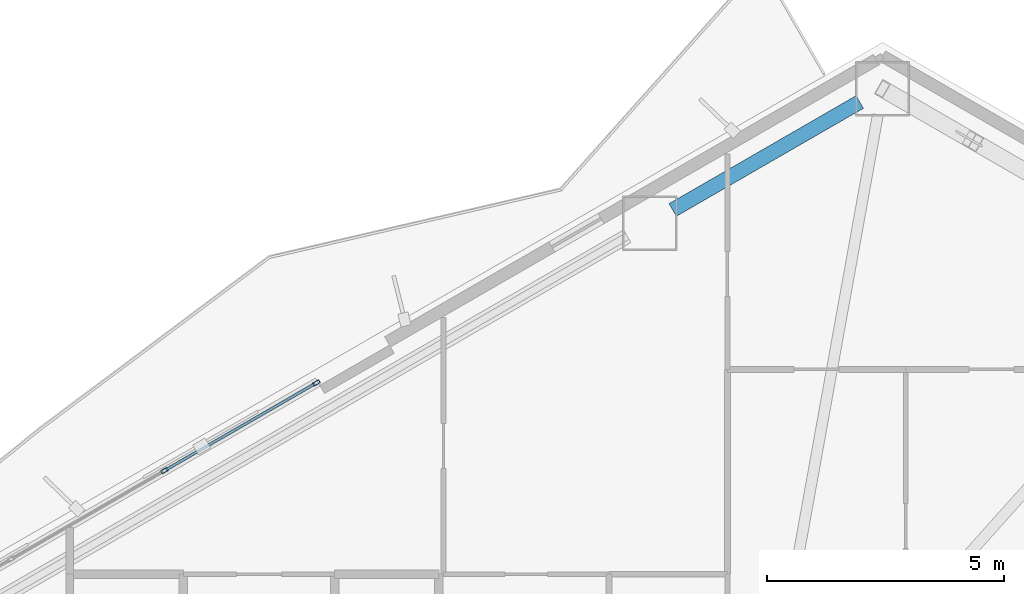
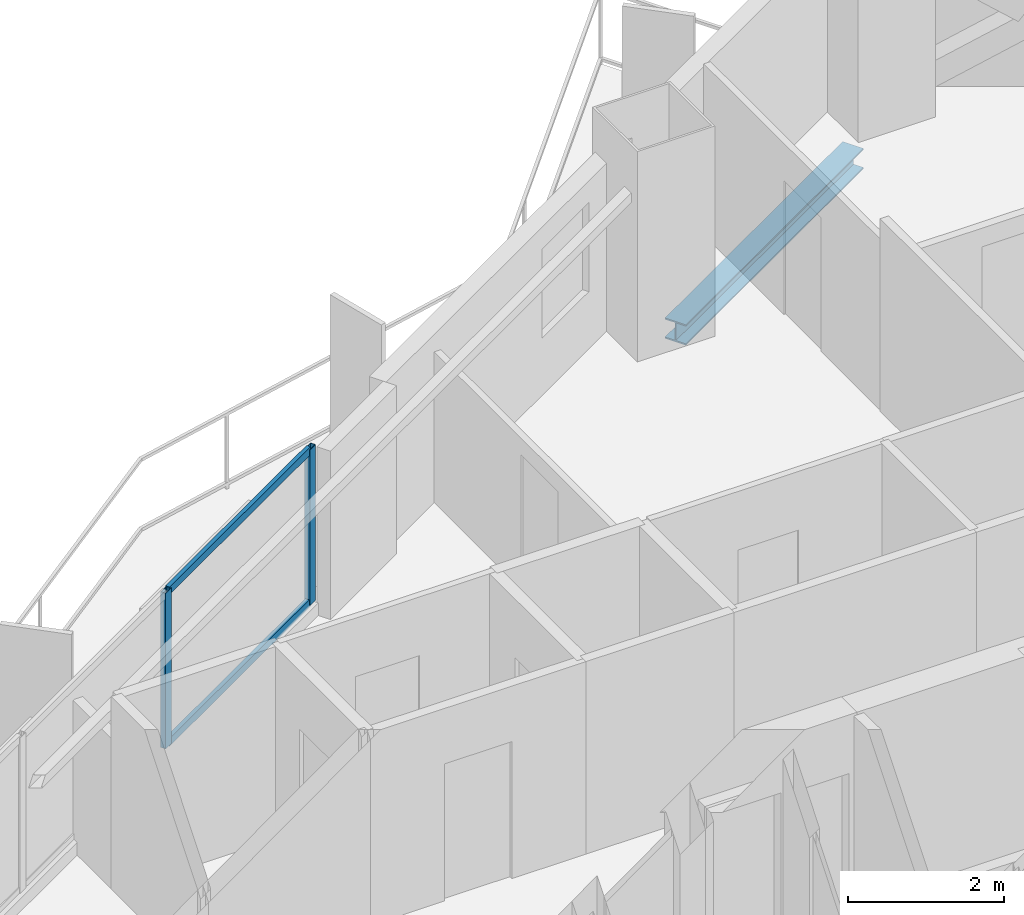
# One storey, part 13 of 22: 4 members, 1 beam, 1 element without a shape of its own.
"""IFC4 building model written with IfcOpenShell, lengths in metres."""

from ifc_helpers import new_model, si_unit, direction, frame, origin, origin_2d, place, context, subcontext, project, spatial, hollow_rectangle, i_section, extrude, material, layer, layer_set, material_profile, profile_set, type_object, element, aggregate, save


model = new_model("IFC4")

# Units and contexts
model_context = context("Model", 3, precision=1e-05, world=origin(), true_north=direction((0.0, 1.0)))
body_context = subcontext(model_context, "Body", "Model", "MODEL_VIEW")
ifc_project = project(units=[si_unit("LENGTHUNIT", "METRE"), si_unit("AREAUNIT", "SQUARE_METRE"), si_unit("VOLUMEUNIT", "CUBIC_METRE"), si_unit("PLANEANGLEUNIT", "RADIAN"), si_unit("MASSUNIT", "GRAM", prefix="KILO")], contexts=[model_context])

# Site, building, storey
site_placement = place(None, origin())
site = spatial("IfcSite", under=ifc_project, at=site_placement, CompositionType="ELEMENT")
building_placement = place(site_placement, origin())
building = spatial("IfcBuilding", under=site, at=building_placement, Name="Mersakhor Tower and Convention Hall", CompositionType="ELEMENT")
storey_placement = place(building_placement, frame((0.0, 0.0, 113.10009765625)))
storey = spatial("IfcBuildingStorey", under=building, at=storey_placement, Name="L31", CompositionType="ELEMENT", Elevation=113.10009765625)

# Beam
ifc_material_1 = material(Name="Steel S355", Category="steel")
ifc_material_profile_1 = material_profile(ifc_material_1, i_section(OverallWidth=0.30908203125, OverallDepth=0.320556640625, WebThickness=0.013916015625, FlangeThickness=0.021728515625, at=origin_2d()), Name="UC 305x305x137")
ifc_profile_set_1 = profile_set([ifc_material_profile_1], Name="Steel S355")
beam_type = type_object("IfcBeamType", Name="BM-SPD-UC305", PredefinedType="SPANDREL", material=ifc_profile_set_1)
beam_placement = place(storey_placement, frame((34.343505859375, 45.34814453125, -0.410400390625), z_axis=(0.866046694585, 0.499963121439, 0.0), x_axis=(-0.499963121439, 0.866046694585, 0.0)))
element("IfcBeam", 1, at=beam_placement, inside=storey, type_object=beam_type, Name="L31 Perimeter Spandrel Beam SPB-03", PredefinedType="SPANDREL", context=body_context, shape_type="SweptSolid", body=[
    extrude(i_section(OverallWidth=0.30908203125, OverallDepth=0.320556640625, WebThickness=0.013916015625, FlangeThickness=0.021728515625, at=origin_2d()), origin(), (0.0, 0.0, 1.0), 4.566162109375),
])

# Curtain wall, members
ifc_material_2 = material(Name="Dark solar low-E aluminium curtain wall", Category="aluminium")
ifc_layer = layer(ifc_material_2, 0.159912109375)
ifc_layer_set = layer_set([ifc_layer], Name="Dark solar low-E aluminium curtain wall")
curtain_wall_type = type_object("IfcCurtainWallType", Name="CW-SYS-01", PredefinedType="USERDEFINED", material=ifc_layer_set)
curtain_wall_placement = place(storey_placement, origin())
curtain_wall = element("IfcCurtainWall", 2, at=curtain_wall_placement, inside=storey, type_object=curtain_wall_type, Name="L31 Dark-Glass Curtain Wall F1-B2", ObjectType="CURTAIN WALL", PredefinedType="USERDEFINED")
ifc_material_3 = material(Name="Anodised aluminium EN AW-6063 T6", Category="aluminium")
ifc_material_profile_2 = material_profile(ifc_material_3, hollow_rectangle(XDim=0.074951171875, YDim=0.14990234375, WallThickness=0.00634765625, at=origin_2d()), Name="RHS 150x75x6.3")
ifc_profile_set_2 = profile_set([ifc_material_profile_2], Name="Anodised aluminium EN AW-6063 T6")
member_type_1 = type_object("IfcMemberType", Name="CWM-150x75", PredefinedType="MULLION", material=ifc_profile_set_2)
member_1_placement = place(storey_placement, frame((23.603515625, 39.840087890625, 0.199951171875), z_axis=(0.0, 0.0, 1.0), x_axis=(-0.499997904985, 0.866026613339, 0.0)))
member_1 = element("IfcMember", 3, at=member_1_placement, type_object=member_type_1, Name="CW-01 mullion 3", PredefinedType="MULLION", context=body_context, shape_type="SweptSolid", body=[
    extrude(hollow_rectangle(XDim=0.074951171875, YDim=0.14990234375, WallThickness=0.00634765625, at=origin_2d()), origin(), (0.0, 0.0, 1.0), 2.43994140625),
])
member_2_placement = place(storey_placement, frame((26.812744140625, 41.69287109375, 0.199951171875), z_axis=(0.0, 0.0, 1.0), x_axis=(-0.499997904985, 0.866026613339, 0.0)))
member_2 = element("IfcMember", 4, at=member_2_placement, type_object=member_type_1, Name="CW-01 mullion 4", PredefinedType="MULLION", context=body_context, shape_type="SweptSolid", body=[
    extrude(hollow_rectangle(XDim=0.074951171875, YDim=0.14990234375, WallThickness=0.00634765625, at=origin_2d()), origin(), (0.0, 0.0, 1.0), 2.43994140625),
])
ifc_material_4 = material(Name="Anodised aluminium EN AW-6063 T6", Category="aluminium")
ifc_material_profile_3 = material_profile(ifc_material_4, hollow_rectangle(XDim=0.06005859375, YDim=0.1201171875, WallThickness=0.0048828125, at=origin_2d()), Name="RHS 120x60x5")
ifc_profile_set_3 = profile_set([ifc_material_profile_3], Name="Anodised aluminium EN AW-6063 T6")
member_type_2 = type_object("IfcMemberType", Name="CWT-120x60", PredefinedType="USERDEFINED", material=ifc_profile_set_3)
member_3_placement = place(storey_placement, frame((23.635986328125, 39.85888671875, 0.22998046875), z_axis=(0.866016497289, 0.500015426185, 0.0), x_axis=(-0.500015426185, 0.866016497289, 0.0)))
member_3 = element("IfcMember", 5, at=member_3_placement, type_object=member_type_2, Name="CW-01 transom 3.1", ObjectType="TRANSOM", PredefinedType="USERDEFINED", context=body_context, shape_type="SweptSolid", body=[
    extrude(hollow_rectangle(XDim=0.06005859375, YDim=0.1201171875, WallThickness=0.0048828125, at=origin_2d()), origin(), (0.0, 0.0, 1.0), 3.630859375),
])
member_4_placement = place(storey_placement, frame((23.635986328125, 39.85888671875, 2.60986328125), z_axis=(0.866016497289, 0.500015426185, 0.0), x_axis=(-0.500015426185, 0.866016497289, 0.0)))
member_4 = element("IfcMember", 6, at=member_4_placement, type_object=member_type_2, Name="CW-01 transom 3.2", ObjectType="TRANSOM", PredefinedType="USERDEFINED", context=body_context, shape_type="SweptSolid", body=[
    extrude(hollow_rectangle(XDim=0.06005859375, YDim=0.1201171875, WallThickness=0.0048828125, at=origin_2d()), origin(), (0.0, 0.0, 1.0), 3.630859375),
])
aggregate(curtain_wall, [member_1, member_2, member_3, member_4])

save(model, "model.ifc")
